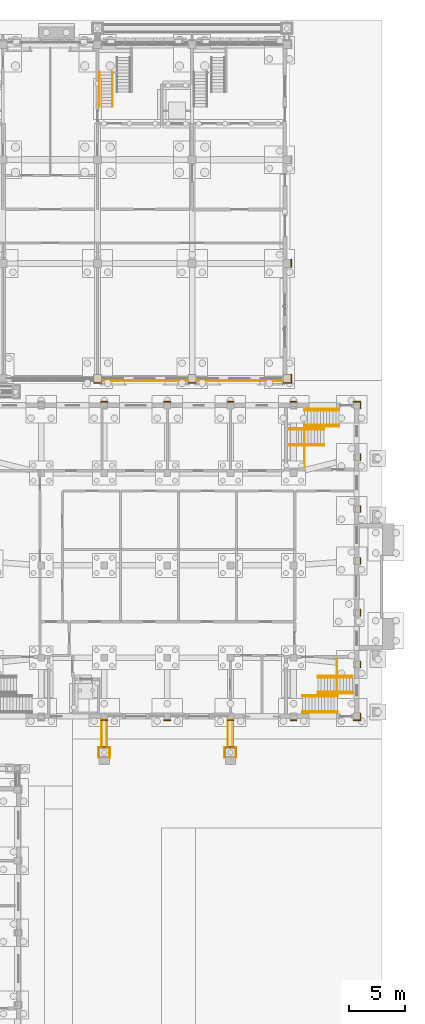
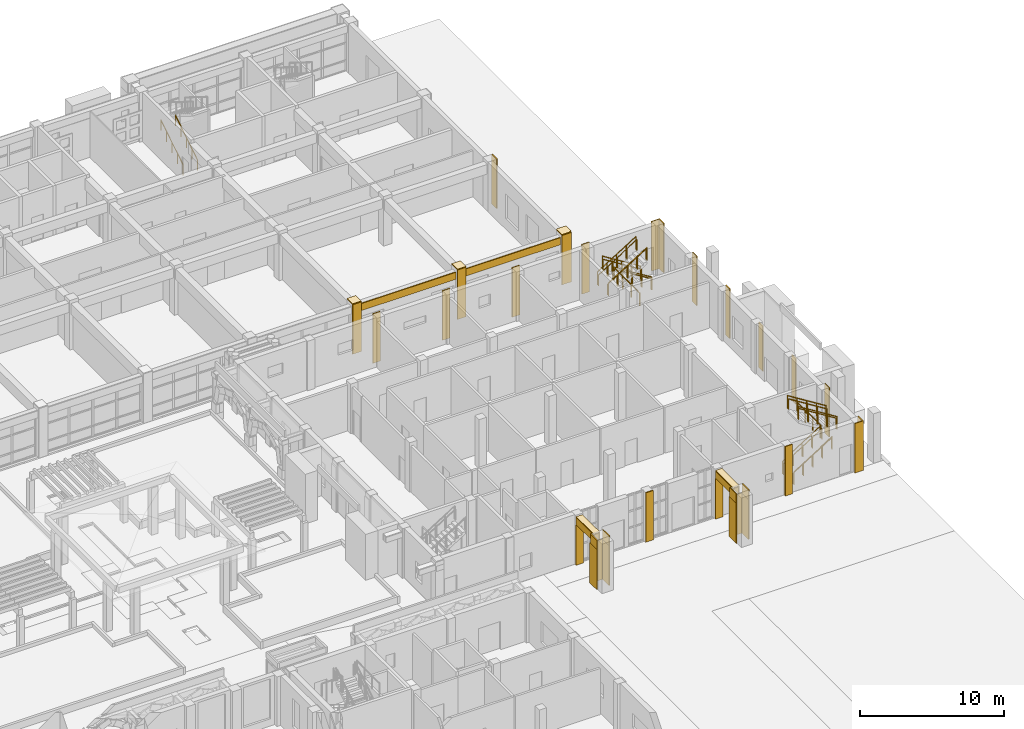
# One storey, part 105 of 112: 36 coverings, 20 railings.
"""IFC4 building model written with IfcOpenShell, lengths in metres."""

from ifc_helpers import new_model, si_unit, direction, frame, origin, origin_2d, place, context, subcontext, project, spatial, polyline, circle, outline, extrude, material, layer, layer_set, type_object, element, save


model = new_model("IFC4")

# Units and contexts
model_context = context("Model", 3, precision=1e-05, world=origin(), true_north=direction((0.0, 1.0)))
body_context = subcontext(model_context, "Body", "Model", "MODEL_VIEW")
ifc_project = project(units=[si_unit("LENGTHUNIT", "METRE"), si_unit("AREAUNIT", "SQUARE_METRE"), si_unit("VOLUMEUNIT", "CUBIC_METRE"), si_unit("PLANEANGLEUNIT", "RADIAN"), si_unit("MASSUNIT", "GRAM", prefix="KILO")], contexts=[model_context])

# Site, building, storey
site_placement = place(None, origin())
site = spatial("IfcSite", under=ifc_project, at=site_placement, CompositionType="ELEMENT")
building_placement = place(site_placement, origin())
building = spatial("IfcBuilding", under=site, at=building_placement, Name="Wasatch Bagh Community Centre", CompositionType="ELEMENT")
storey_placement = place(building_placement, origin())
storey = spatial("IfcBuildingStorey", under=building, at=storey_placement, Name="L00", CompositionType="ELEMENT", Elevation=0.0)

# Coverings
ifc_material_1 = material(Name="Cast stone cladding", Category="masonry")
ifc_layer_1 = layer(ifc_material_1, 0.080078125)
ifc_layer_set_1 = layer_set([ifc_layer_1], Name="Cast stone cladding")
covering_type_1 = type_object("IfcCoveringType", Name="CL-B7 beam facing", PredefinedType="CLADDING", material=ifc_layer_set_1)
covering_1_placement = place(storey_placement, frame((0.0, 0.0, 3.320068359375)))
element("IfcCovering", 1, at=covering_1_placement, inside=storey, type_object=covering_type_1, Name="Beam facing", PredefinedType="CLADDING", context=body_context, shape_type="SweptSolid", body=[
    extrude(outline(polyline([(123.14990234375, 68.02490234375), (130.85009765625, 68.02490234375), (130.85009765625, 67.945068359375), (123.14990234375, 67.945068359375), (123.14990234375, 68.02490234375)])), origin(), (0.0, 0.0, 1.0), 0.599853515625),
])
covering_2_placement = place(storey_placement, frame((0.0, 0.0, 3.320068359375)))
element("IfcCovering", 2, at=covering_2_placement, inside=storey, type_object=covering_type_1, Name="Beam facing", PredefinedType="CLADDING", context=body_context, shape_type="SweptSolid", body=[
    extrude(outline(polyline([(131.550048828125, 68.02490234375), (139.25, 68.02490234375), (139.25, 67.945068359375), (131.550048828125, 67.945068359375), (131.550048828125, 68.02490234375)])), origin(), (0.0, 0.0, 1.0), 0.599853515625),
])
covering_3_placement = place(storey_placement, frame((0.0, 0.0, 3.39990234375)))
element("IfcCovering", 3, at=covering_3_placement, inside=storey, type_object=covering_type_1, Name="Beam facing", PredefinedType="CLADDING", context=body_context, shape_type="SweptSolid", body=[
    extrude(outline(polyline([(123.574951171875, 37.89990234375), (123.574951171875, 35.449951171875), (123.655029296875, 35.449951171875), (123.655029296875, 37.89990234375), (123.574951171875, 37.89990234375)])), origin(), (0.0, 0.0, 1.0), 0.60009765625),
])
covering_4_placement = place(storey_placement, frame((0.0, 0.0, 3.39990234375)))
element("IfcCovering", 4, at=covering_4_placement, inside=storey, type_object=covering_type_1, Name="Beam facing", PredefinedType="CLADDING", context=body_context, shape_type="SweptSolid", body=[
    extrude(outline(polyline([(123.22509765625, 37.89990234375), (123.22509765625, 35.449951171875), (123.14501953125, 35.449951171875), (123.14501953125, 37.89990234375), (123.22509765625, 37.89990234375)])), origin(), (0.0, 0.0, 1.0), 0.60009765625),
])
covering_5_placement = place(storey_placement, frame((0.0, 0.0, 4.0)))
element("IfcCovering", 5, at=covering_5_placement, inside=storey, type_object=covering_type_1, Name="Beam facing", PredefinedType="CLADDING", context=body_context, shape_type="SweptSolid", body=[
    extrude(outline(polyline([(123.14501953125, 37.89990234375), (123.14501953125, 35.449951171875), (123.655029296875, 35.449951171875), (123.655029296875, 37.89990234375), (123.14501953125, 37.89990234375)])), origin(), (0.0, 0.0, 1.0), 0.080078125),
])
covering_6_placement = place(storey_placement, frame((0.0, 0.0, 3.39990234375)))
element("IfcCovering", 6, at=covering_6_placement, inside=storey, type_object=covering_type_1, Name="Beam facing", PredefinedType="CLADDING", context=body_context, shape_type="SweptSolid", body=[
    extrude(outline(polyline([(134.77490234375, 37.89990234375), (134.77490234375, 35.449951171875), (134.85498046875, 35.449951171875), (134.85498046875, 37.89990234375), (134.77490234375, 37.89990234375)])), origin(), (0.0, 0.0, 1.0), 0.60009765625),
])
covering_7_placement = place(storey_placement, frame((0.0, 0.0, 3.39990234375)))
element("IfcCovering", 7, at=covering_7_placement, inside=storey, type_object=covering_type_1, Name="Beam facing", PredefinedType="CLADDING", context=body_context, shape_type="SweptSolid", body=[
    extrude(outline(polyline([(134.425048828125, 37.89990234375), (134.425048828125, 35.449951171875), (134.344970703125, 35.449951171875), (134.344970703125, 37.89990234375), (134.425048828125, 37.89990234375)])), origin(), (0.0, 0.0, 1.0), 0.60009765625),
])
covering_8_placement = place(storey_placement, frame((0.0, 0.0, 4.0)))
element("IfcCovering", 8, at=covering_8_placement, inside=storey, type_object=covering_type_1, Name="Beam facing", PredefinedType="CLADDING", context=body_context, shape_type="SweptSolid", body=[
    extrude(outline(polyline([(134.344970703125, 37.89990234375), (134.344970703125, 35.449951171875), (134.85498046875, 35.449951171875), (134.85498046875, 37.89990234375), (134.344970703125, 37.89990234375)])), origin(), (0.0, 0.0, 1.0), 0.080078125),
])
ifc_layer_2 = layer(ifc_material_1, 0.080078125)
ifc_layer_set_2 = layer_set([ifc_layer_2], Name="Cast stone cladding")
covering_type_2 = type_object("IfcCoveringType", Name="CL-C1 column facing", PredefinedType="CLADDING", material=ifc_layer_set_2)
covering_9_placement = place(storey_placement, origin())
element("IfcCovering", 9, at=covering_9_placement, inside=storey, type_object=covering_type_2, Name="Column facing", PredefinedType="CLADDING", context=body_context, shape_type="SweptSolid", body=[
    extrude(outline(polyline([(122.8701171875, 34.550048828125), (122.8701171875, 35.530029296875), (123.929931640625, 35.530029296875), (123.929931640625, 34.550048828125), (123.85009765625, 34.550048828125), (123.85009765625, 35.449951171875), (122.949951171875, 35.449951171875), (122.949951171875, 34.550048828125), (122.8701171875, 34.550048828125)])), origin(), (0.0, 0.0, 1.0), 3.39990234375),
])
covering_10_placement = place(storey_placement, frame((0.0, 0.0, 3.39990234375)))
element("IfcCovering", 10, at=covering_10_placement, inside=storey, type_object=covering_type_2, Name="Column facing", PredefinedType="CLADDING", context=body_context, shape_type="SweptSolid", body=[
    extrude(outline(polyline([(123.85009765625, 35.449951171875), (123.929931640625, 35.449951171875), (123.929931640625, 34.550048828125), (123.85009765625, 34.550048828125), (123.85009765625, 35.449951171875)])), origin(), (0.0, 0.0, 1.0), 0.800048828125),
])
covering_11_placement = place(storey_placement, frame((0.0, 0.0, 3.39990234375)))
element("IfcCovering", 11, at=covering_11_placement, inside=storey, type_object=covering_type_2, Name="Column facing", PredefinedType="CLADDING", context=body_context, shape_type="SweptSolid", body=[
    extrude(outline(polyline([(122.949951171875, 34.550048828125), (122.8701171875, 34.550048828125), (122.8701171875, 35.449951171875), (122.949951171875, 35.449951171875), (122.949951171875, 34.550048828125)])), origin(), (0.0, 0.0, 1.0), 0.800048828125),
])
covering_12_placement = place(storey_placement, origin())
element("IfcCovering", 12, at=covering_12_placement, inside=storey, type_object=covering_type_2, Name="Column facing", PredefinedType="CLADDING", context=body_context, shape_type="SweptSolid", body=[
    extrude(outline(polyline([(134.070068359375, 34.550048828125), (134.070068359375, 35.530029296875), (135.1298828125, 35.530029296875), (135.1298828125, 35.449951171875), (135.1298828125, 34.550048828125), (135.050048828125, 34.550048828125), (135.050048828125, 35.449951171875), (134.14990234375, 35.449951171875), (134.14990234375, 34.550048828125), (134.070068359375, 34.550048828125)])), origin(), (0.0, 0.0, 1.0), 3.39990234375),
])
covering_13_placement = place(storey_placement, frame((0.0, 0.0, 3.39990234375)))
element("IfcCovering", 13, at=covering_13_placement, inside=storey, type_object=covering_type_2, Name="Column facing", PredefinedType="CLADDING", context=body_context, shape_type="SweptSolid", body=[
    extrude(outline(polyline([(135.050048828125, 35.449951171875), (135.1298828125, 35.449951171875), (135.1298828125, 34.550048828125), (135.050048828125, 34.550048828125), (135.050048828125, 35.449951171875)])), origin(), (0.0, 0.0, 1.0), 0.800048828125),
])
covering_14_placement = place(storey_placement, frame((0.0, 0.0, 3.39990234375)))
element("IfcCovering", 14, at=covering_14_placement, inside=storey, type_object=covering_type_2, Name="Column facing", PredefinedType="CLADDING", context=body_context, shape_type="SweptSolid", body=[
    extrude(outline(polyline([(134.14990234375, 34.550048828125), (134.070068359375, 34.550048828125), (134.070068359375, 35.449951171875), (134.14990234375, 35.449951171875), (134.14990234375, 34.550048828125)])), origin(), (0.0, 0.0, 1.0), 0.800048828125),
])
covering_15_placement = place(storey_placement, origin())
element("IfcCovering", 15, at=covering_15_placement, inside=storey, type_object=covering_type_2, Name="Column facing", PredefinedType="CLADDING", context=body_context, shape_type="SweptSolid", body=[
    extrude(outline(polyline([(139.949951171875, 78.050048828125), (139.949951171875, 78.75), (140.030029296875, 78.75), (140.030029296875, 78.050048828125), (139.949951171875, 78.050048828125)])), origin(), (0.0, 0.0, 1.0), 4.199951171875),
])
covering_16_placement = place(storey_placement, origin())
element("IfcCovering", 16, at=covering_16_placement, inside=storey, type_object=covering_type_2, Name="Column facing", PredefinedType="CLADDING", context=body_context, shape_type="SweptSolid", body=[
    extrude(outline(polyline([(122.449951171875, 67.85009765625), (123.14990234375, 67.85009765625), (123.14990234375, 67.77001953125), (122.449951171875, 67.77001953125), (122.449951171875, 67.85009765625)])), origin(), (0.0, 0.0, 1.0), 4.199951171875),
])
covering_17_placement = place(storey_placement, frame((0.0, 0.0, 4.199951171875)))
element("IfcCovering", 17, at=covering_17_placement, inside=storey, type_object=covering_type_2, Name="Column facing", PredefinedType="CLADDING", context=body_context, shape_type="SweptSolid", body=[
    extrude(outline(polyline([(123.14990234375, 67.77001953125), (122.449951171875, 67.77001953125), (122.449951171875, 68.550048828125), (123.14990234375, 68.550048828125), (123.14990234375, 67.77001953125)])), origin(), (0.0, 0.0, 1.0), 0.080078125),
])
covering_18_placement = place(storey_placement, origin())
element("IfcCovering", 18, at=covering_18_placement, inside=storey, type_object=covering_type_2, Name="Column facing", PredefinedType="CLADDING", context=body_context, shape_type="SweptSolid", body=[
    extrude(outline(polyline([(130.85009765625, 67.85009765625), (131.550048828125, 67.85009765625), (131.550048828125, 67.77001953125), (130.85009765625, 67.77001953125), (130.85009765625, 67.85009765625)])), origin(), (0.0, 0.0, 1.0), 4.199951171875),
])
covering_19_placement = place(storey_placement, frame((0.0, 0.0, 4.199951171875)))
element("IfcCovering", 19, at=covering_19_placement, inside=storey, type_object=covering_type_2, Name="Column facing", PredefinedType="CLADDING", context=body_context, shape_type="SweptSolid", body=[
    extrude(outline(polyline([(131.550048828125, 67.77001953125), (130.85009765625, 67.77001953125), (130.85009765625, 68.550048828125), (131.550048828125, 68.550048828125), (131.550048828125, 67.77001953125)])), origin(), (0.0, 0.0, 1.0), 0.080078125),
])
covering_20_placement = place(storey_placement, origin())
element("IfcCovering", 20, at=covering_20_placement, inside=storey, type_object=covering_type_2, Name="Column facing", PredefinedType="CLADDING", context=body_context, shape_type="SweptSolid", body=[
    extrude(outline(polyline([(139.949951171875, 67.85009765625), (139.949951171875, 68.550048828125), (140.030029296875, 68.550048828125), (140.030029296875, 67.85009765625), (140.030029296875, 67.77001953125), (139.25, 67.77001953125), (139.25, 67.85009765625), (139.949951171875, 67.85009765625)])), origin(), (0.0, 0.0, 1.0), 4.199951171875),
])
covering_21_placement = place(storey_placement, frame((0.0, 0.0, 4.199951171875)))
element("IfcCovering", 21, at=covering_21_placement, inside=storey, type_object=covering_type_2, Name="Column facing", PredefinedType="CLADDING", context=body_context, shape_type="SweptSolid", body=[
    extrude(outline(polyline([(139.949951171875, 67.77001953125), (139.25, 67.77001953125), (139.25, 68.550048828125), (140.030029296875, 68.550048828125), (140.030029296875, 67.85009765625), (139.949951171875, 67.85009765625), (139.949951171875, 67.77001953125)])), origin(), (0.0, 0.0, 1.0), 0.080078125),
])
covering_22_placement = place(storey_placement, origin())
element("IfcCovering", 22, at=covering_22_placement, inside=storey, type_object=covering_type_2, Name="Column facing", PredefinedType="CLADDING", context=body_context, shape_type="SweptSolid", body=[
    extrude(outline(polyline([(123.10009765625, 37.89990234375), (123.699951171875, 37.89990234375), (123.699951171875, 37.820068359375), (123.10009765625, 37.820068359375), (123.10009765625, 37.89990234375)])), origin(), (0.0, 0.0, 1.0), 3.39990234375),
])
covering_23_placement = place(storey_placement, origin())
element("IfcCovering", 23, at=covering_23_placement, inside=storey, type_object=covering_type_2, Name="Column facing", PredefinedType="CLADDING", context=body_context, shape_type="SweptSolid", body=[
    extrude(outline(polyline([(128.699951171875, 37.89990234375), (129.300048828125, 37.89990234375), (129.300048828125, 37.820068359375), (128.699951171875, 37.820068359375), (128.699951171875, 37.89990234375)])), origin(), (0.0, 0.0, 1.0), 4.199951171875),
])
covering_24_placement = place(storey_placement, origin())
element("IfcCovering", 24, at=covering_24_placement, inside=storey, type_object=covering_type_2, Name="Column facing", PredefinedType="CLADDING", context=body_context, shape_type="SweptSolid", body=[
    extrude(outline(polyline([(134.300048828125, 37.89990234375), (134.89990234375, 37.89990234375), (134.89990234375, 37.820068359375), (134.300048828125, 37.820068359375), (134.300048828125, 37.89990234375)])), origin(), (0.0, 0.0, 1.0), 3.39990234375),
])
covering_25_placement = place(storey_placement, origin())
element("IfcCovering", 25, at=covering_25_placement, inside=storey, type_object=covering_type_2, Name="Column facing", PredefinedType="CLADDING", context=body_context, shape_type="SweptSolid", body=[
    extrude(outline(polyline([(139.89990234375, 37.89990234375), (140.5, 37.89990234375), (140.5, 37.820068359375), (139.89990234375, 37.820068359375), (139.89990234375, 37.89990234375)])), origin(), (0.0, 0.0, 1.0), 4.199951171875),
])
covering_26_placement = place(storey_placement, origin())
element("IfcCovering", 26, at=covering_26_placement, inside=storey, type_object=covering_type_2, Name="Column facing", PredefinedType="CLADDING", context=body_context, shape_type="SweptSolid", body=[
    extrude(outline(polyline([(146.10009765625, 37.89990234375), (146.10009765625, 38.5), (146.179931640625, 38.5), (146.179931640625, 37.820068359375), (145.5, 37.820068359375), (145.5, 37.89990234375), (146.10009765625, 37.89990234375)])), origin(), (0.0, 0.0, 1.0), 4.199951171875),
])
covering_27_placement = place(storey_placement, origin())
element("IfcCovering", 27, at=covering_27_placement, inside=storey, type_object=covering_type_2, Name="Column facing", PredefinedType="CLADDING", context=body_context, shape_type="SweptSolid", body=[
    extrude(outline(polyline([(123.699951171875, 66.10009765625), (123.10009765625, 66.10009765625), (123.10009765625, 66.179931640625), (123.699951171875, 66.179931640625), (123.699951171875, 66.10009765625)])), origin(), (0.0, 0.0, 1.0), 4.199951171875),
])
covering_28_placement = place(storey_placement, origin())
element("IfcCovering", 28, at=covering_28_placement, inside=storey, type_object=covering_type_2, Name="Column facing", PredefinedType="CLADDING", context=body_context, shape_type="SweptSolid", body=[
    extrude(outline(polyline([(129.300048828125, 66.10009765625), (128.699951171875, 66.10009765625), (128.699951171875, 66.179931640625), (129.300048828125, 66.179931640625), (129.300048828125, 66.10009765625)])), origin(), (0.0, 0.0, 1.0), 4.199951171875),
])
covering_29_placement = place(storey_placement, origin())
element("IfcCovering", 29, at=covering_29_placement, inside=storey, type_object=covering_type_2, Name="Column facing", PredefinedType="CLADDING", context=body_context, shape_type="SweptSolid", body=[
    extrude(outline(polyline([(134.89990234375, 66.10009765625), (134.300048828125, 66.10009765625), (134.300048828125, 66.179931640625), (134.89990234375, 66.179931640625), (134.89990234375, 66.10009765625)])), origin(), (0.0, 0.0, 1.0), 4.199951171875),
])
covering_30_placement = place(storey_placement, origin())
element("IfcCovering", 30, at=covering_30_placement, inside=storey, type_object=covering_type_2, Name="Column facing", PredefinedType="CLADDING", context=body_context, shape_type="SweptSolid", body=[
    extrude(outline(polyline([(140.5, 66.10009765625), (139.89990234375, 66.10009765625), (139.89990234375, 66.179931640625), (140.5, 66.179931640625), (140.5, 66.10009765625)])), origin(), (0.0, 0.0, 1.0), 4.199951171875),
])
covering_31_placement = place(storey_placement, origin())
element("IfcCovering", 31, at=covering_31_placement, inside=storey, type_object=covering_type_2, Name="Column facing", PredefinedType="CLADDING", context=body_context, shape_type="SweptSolid", body=[
    extrude(outline(polyline([(146.10009765625, 66.10009765625), (145.5, 66.10009765625), (145.5, 66.179931640625), (146.179931640625, 66.179931640625), (146.179931640625, 65.5), (146.10009765625, 65.5), (146.10009765625, 66.10009765625)])), origin(), (0.0, 0.0, 1.0), 4.199951171875),
])
covering_32_placement = place(storey_placement, origin())
element("IfcCovering", 32, at=covering_32_placement, inside=storey, type_object=covering_type_2, Name="Column facing", PredefinedType="CLADDING", context=body_context, shape_type="SweptSolid", body=[
    extrude(outline(polyline([(146.10009765625, 42.5), (146.10009765625, 43.10009765625), (146.179931640625, 43.10009765625), (146.179931640625, 42.5), (146.10009765625, 42.5)])), origin(), (0.0, 0.0, 1.0), 4.199951171875),
])
covering_33_placement = place(storey_placement, origin())
element("IfcCovering", 33, at=covering_33_placement, inside=storey, type_object=covering_type_2, Name="Column facing", PredefinedType="CLADDING", context=body_context, shape_type="SweptSolid", body=[
    extrude(outline(polyline([(146.10009765625, 47.10009765625), (146.10009765625, 47.699951171875), (146.179931640625, 47.699951171875), (146.179931640625, 47.10009765625), (146.10009765625, 47.10009765625)])), origin(), (0.0, 0.0, 1.0), 3.85009765625),
])
covering_34_placement = place(storey_placement, origin())
element("IfcCovering", 34, at=covering_34_placement, inside=storey, type_object=covering_type_2, Name="Column facing", PredefinedType="CLADDING", context=body_context, shape_type="SweptSolid", body=[
    extrude(outline(polyline([(146.10009765625, 51.699951171875), (146.10009765625, 52.300048828125), (146.179931640625, 52.300048828125), (146.179931640625, 51.699951171875), (146.10009765625, 51.699951171875)])), origin(), (0.0, 0.0, 1.0), 3.85009765625),
])
covering_35_placement = place(storey_placement, origin())
element("IfcCovering", 35, at=covering_35_placement, inside=storey, type_object=covering_type_2, Name="Column facing", PredefinedType="CLADDING", context=body_context, shape_type="SweptSolid", body=[
    extrude(outline(polyline([(146.10009765625, 56.300048828125), (146.10009765625, 56.89990234375), (146.179931640625, 56.89990234375), (146.179931640625, 56.300048828125), (146.10009765625, 56.300048828125)])), origin(), (0.0, 0.0, 1.0), 4.199951171875),
])
covering_36_placement = place(storey_placement, origin())
element("IfcCovering", 36, at=covering_36_placement, inside=storey, type_object=covering_type_2, Name="Column facing", PredefinedType="CLADDING", context=body_context, shape_type="SweptSolid", body=[
    extrude(outline(polyline([(146.10009765625, 60.89990234375), (146.10009765625, 61.5), (146.179931640625, 61.5), (146.179931640625, 60.89990234375), (146.10009765625, 60.89990234375)])), origin(), (0.0, 0.0, 1.0), 4.199951171875),
])

# Railings
ifc_material_2 = material(Name="Painted steel tube", Category="steel")
railing_type_1 = type_object("IfcRailingType", Name="LW stair handrail 900", PredefinedType="HANDRAIL", material=ifc_material_2)
for number, where, name in (
    (37, (122.97509765625, 92.300048828125, 0.175048828125), "Handrail C3"),
    (38, (124.135009765625, 92.300048828125, 0.175048828125), "Handrail C3"),
):
    element("IfcRailing", number, at=place(storey_placement, frame(where)), inside=storey, type_object=railing_type_1, Name=name, PredefinedType="HANDRAIL", context=body_context, shape_type="SweptSolid", body=[
        extrude(circle(Radius=0.0224609375, at=origin_2d()), frame((0.0, 0.0, 0.87744140625), z_axis=(0.0, 0.847979421464, 0.530029150871), x_axis=(-1.0, 0.0, 0.0)), (0.0, 0.0, 1.0), 3.632080078125),
        extrude(circle(Radius=0.02001953125, at=origin_2d()), origin(), (0.0, 0.0, 1.0), 0.85498046875),
        extrude(circle(Radius=0.02001953125, at=origin_2d()), frame((0.0, 0.77001953125, 0.481201171875)), (0.0, 0.0, 1.0), 0.85498046875),
        extrude(circle(Radius=0.02001953125, at=origin_2d()), frame((0.0, 1.5400390625, 0.96240234375)), (0.0, 0.0, 1.0), 0.85498046875),
        extrude(circle(Radius=0.02001953125, at=origin_2d()), frame((0.0, 2.309814453125, 1.44384765625)), (0.0, 0.0, 1.0), 0.85498046875),
        extrude(circle(Radius=0.02001953125, at=origin_2d()), frame((0.0, 3.079833984375, 1.925048828125)), (0.0, 0.0, 1.0), 0.85498046875),
    ])
ifc_material_3 = material(Name="ASTM A36 steel", Category="steel")
railing_type_2 = type_object("IfcRailingType", Name="SH guard", PredefinedType="GUARDRAIL", material=ifc_material_3)
for number, where, name in (
    (39, (141.0, 40.070068359375, 0.175048828125), "GUARD ST2"),
    (40, (141.0, 38.530029296875, 0.175048828125), "GUARD ST2"),
):
    element("IfcRailing", number, at=place(storey_placement, frame(where)), inside=storey, type_object=railing_type_2, Name=name, PredefinedType="GUARDRAIL", context=body_context, shape_type="SweptSolid", body=[
        extrude(circle(Radius=0.02392578125, at=origin_2d()), frame((0.0, 0.0, 1.076171875), z_axis=(0.847998304005, 0.0, 0.529998940003), x_axis=(0.0, 1.0, 0.0)), (0.0, 0.0, 1.0), 3.632080078125),
        extrude(circle(Radius=0.02099609375, at=origin_2d()), origin(), (0.0, 0.0, 1.0), 1.052001953125),
        extrude(circle(Radius=0.02099609375, at=origin_2d()), frame((0.77001953125, 0.0, 0.481201171875)), (0.0, 0.0, 1.0), 1.052001953125),
        extrude(circle(Radius=0.02099609375, at=origin_2d()), frame((1.5400390625, 0.0, 0.96240234375)), (0.0, 0.0, 1.0), 1.052001953125),
        extrude(circle(Radius=0.02099609375, at=origin_2d()), frame((2.31005859375, 0.0, 1.44384765625)), (0.0, 0.0, 1.0), 1.052001953125),
        extrude(circle(Radius=0.02099609375, at=origin_2d()), frame((3.080078125, 0.0, 1.925048828125)), (0.0, 0.0, 1.0), 1.052001953125),
    ])
for number, where, name in (
    (41, (145.449951171875, 40.22998046875, 2.27490234375), "GUARD ST2"),
    (42, (145.449951171875, 41.77001953125, 2.27490234375), "GUARD ST2"),
):
    element("IfcRailing", number, at=place(storey_placement, frame(where)), inside=storey, type_object=railing_type_2, Name=name, PredefinedType="GUARDRAIL", context=body_context, shape_type="SweptSolid", body=[
        extrude(circle(Radius=0.02392578125, at=origin_2d()), frame((0.0, 0.0, 1.076171875), z_axis=(-0.847979421464, 0.0, 0.530029150871), x_axis=(0.0, -1.0, 0.0)), (0.0, 0.0, 1.0), 3.632080078125),
        extrude(circle(Radius=0.02099609375, at=origin_2d()), origin(), (0.0, 0.0, 1.0), 1.052001953125),
        extrude(circle(Radius=0.02099609375, at=origin_2d()), frame((-0.77001953125, 0.0, 0.481201171875)), (0.0, 0.0, 1.0), 1.052001953125),
        extrude(circle(Radius=0.02099609375, at=origin_2d()), frame((-1.5400390625, 0.0, 0.96240234375)), (0.0, 0.0, 1.0), 1.052001953125),
        extrude(circle(Radius=0.02099609375, at=origin_2d()), frame((-2.309814453125, 0.0, 1.44384765625)), (0.0, 0.0, 1.0), 1.052001953125),
        extrude(circle(Radius=0.02099609375, at=origin_2d()), frame((-3.079833984375, 0.0, 1.925048828125)), (0.0, 0.0, 1.0), 1.052001953125),
    ])
railing_1_placement = place(storey_placement, frame((144.06005859375, 40.14990234375, 2.10009765625)))
element("IfcRailing", 43, at=railing_1_placement, inside=storey, type_object=railing_type_2, Name="GUARD ST2", PredefinedType="GUARDRAIL", context=body_context, shape_type="SweptSolid", body=[
    extrude(circle(Radius=0.02392578125, at=origin_2d()), frame((0.0, 0.0, 1.076171875), z_axis=(0.0, 1.0, 0.0), x_axis=(-1.0, 0.0, 0.0)), (0.0, 0.0, 1.0), 3.150146484375),
    extrude(circle(Radius=0.02099609375, at=origin_2d()), origin(), (0.0, 0.0, 1.0), 1.052001953125),
    extrude(circle(Radius=0.02099609375, at=origin_2d()), frame((0.0, 1.050048828125, 0.0)), (0.0, 0.0, 1.0), 1.052001953125),
    extrude(circle(Radius=0.02099609375, at=origin_2d()), frame((0.0, 2.10009765625, 0.0)), (0.0, 0.0, 1.0), 1.052001953125),
    extrude(circle(Radius=0.02099609375, at=origin_2d()), frame((0.0, 3.150146484375, 0.0)), (0.0, 0.0, 1.0), 1.052001953125),
])
for number, where, name in (
    (44, (144.25, 63.929931640625, 0.175048828125), "GUARD ST3"),
    (45, (144.25, 65.469970703125, 0.175048828125), "GUARD ST3"),
):
    element("IfcRailing", number, at=place(storey_placement, frame(where)), inside=storey, type_object=railing_type_2, Name=name, PredefinedType="GUARDRAIL", context=body_context, shape_type="SweptSolid", body=[
        extrude(circle(Radius=0.02392578125, at=origin_2d()), frame((0.0, 0.0, 1.076171875), z_axis=(-0.847998304005, 0.0, 0.529998940003), x_axis=(0.0, -1.0, 0.0)), (0.0, 0.0, 1.0), 3.632080078125),
        extrude(circle(Radius=0.02099609375, at=origin_2d()), origin(), (0.0, 0.0, 1.0), 1.052001953125),
        extrude(circle(Radius=0.02099609375, at=origin_2d()), frame((-0.77001953125, 0.0, 0.481201171875)), (0.0, 0.0, 1.0), 1.052001953125),
        extrude(circle(Radius=0.02099609375, at=origin_2d()), frame((-1.5400390625, 0.0, 0.96240234375)), (0.0, 0.0, 1.0), 1.052001953125),
        extrude(circle(Radius=0.02099609375, at=origin_2d()), frame((-2.31005859375, 0.0, 1.44384765625)), (0.0, 0.0, 1.0), 1.052001953125),
        extrude(circle(Radius=0.02099609375, at=origin_2d()), frame((-3.080078125, 0.0, 1.925048828125)), (0.0, 0.0, 1.0), 1.052001953125),
    ])
for number, where, name in (
    (46, (139.800048828125, 63.77001953125, 2.27490234375), "GUARD ST3"),
    (47, (139.800048828125, 62.22998046875, 2.27490234375), "GUARD ST3"),
):
    element("IfcRailing", number, at=place(storey_placement, frame(where)), inside=storey, type_object=railing_type_2, Name=name, PredefinedType="GUARDRAIL", context=body_context, shape_type="SweptSolid", body=[
        extrude(circle(Radius=0.02392578125, at=origin_2d()), frame((0.0, 0.0, 1.076171875), z_axis=(0.847979421464, 0.0, 0.530029150871), x_axis=(0.0, 1.0, 0.0)), (0.0, 0.0, 1.0), 3.632080078125),
        extrude(circle(Radius=0.02099609375, at=origin_2d()), origin(), (0.0, 0.0, 1.0), 1.052001953125),
        extrude(circle(Radius=0.02099609375, at=origin_2d()), frame((0.77001953125, 0.0, 0.481201171875)), (0.0, 0.0, 1.0), 1.052001953125),
        extrude(circle(Radius=0.02099609375, at=origin_2d()), frame((1.5400390625, 0.0, 0.96240234375)), (0.0, 0.0, 1.0), 1.052001953125),
        extrude(circle(Radius=0.02099609375, at=origin_2d()), frame((2.309814453125, 0.0, 1.44384765625)), (0.0, 0.0, 1.0), 1.052001953125),
        extrude(circle(Radius=0.02099609375, at=origin_2d()), frame((3.079833984375, 0.0, 1.925048828125)), (0.0, 0.0, 1.0), 1.052001953125),
    ])
railing_2_placement = place(storey_placement, frame((141.18994140625, 63.85009765625, 2.10009765625)))
element("IfcRailing", 48, at=railing_2_placement, inside=storey, type_object=railing_type_2, Name="GUARD ST3", PredefinedType="GUARDRAIL", context=body_context, shape_type="SweptSolid", body=[
    extrude(circle(Radius=0.02392578125, at=origin_2d()), frame((0.0, 0.0, 1.076171875), z_axis=(0.0, -1.0, 0.0), x_axis=(1.0, 0.0, 0.0)), (0.0, 0.0, 1.0), 3.550048828125),
    extrude(circle(Radius=0.02099609375, at=origin_2d()), origin(), (0.0, 0.0, 1.0), 1.052001953125),
    extrude(circle(Radius=0.02099609375, at=origin_2d()), frame((0.0, -1.183349609375, 0.0)), (0.0, 0.0, 1.0), 1.052001953125),
    extrude(circle(Radius=0.02099609375, at=origin_2d()), frame((0.0, -2.36669921875, 0.0)), (0.0, 0.0, 1.0), 1.052001953125),
    extrude(circle(Radius=0.02099609375, at=origin_2d()), frame((0.0, -3.550048828125, 0.0)), (0.0, 0.0, 1.0), 1.052001953125),
])
railing_type_3 = type_object("IfcRailingType", Name="SH handrail", PredefinedType="HANDRAIL", material=ifc_material_3)
for number, where, name in (
    (49, (141.0, 39.949951171875, 0.175048828125), "HANDRAIL ST2"),
    (50, (141.0, 38.64990234375, 0.175048828125), "HANDRAIL ST2"),
):
    element("IfcRailing", number, at=place(storey_placement, frame(where)), inside=storey, type_object=railing_type_3, Name=name, PredefinedType="HANDRAIL", context=body_context, shape_type="SweptSolid", body=[
        extrude(circle(Radius=0.02392578125, at=origin_2d()), frame((0.0, 0.0, 0.8759765625), z_axis=(0.847998304005, 0.0, 0.529998940003), x_axis=(0.0, 1.0, 0.0)), (0.0, 0.0, 1.0), 3.632080078125),
        extrude(circle(Radius=0.02099609375, at=origin_2d()), origin(), (0.0, 0.0, 1.0), 0.851806640625),
        extrude(circle(Radius=0.02099609375, at=origin_2d()), frame((0.77001953125, 0.0, 0.481201171875)), (0.0, 0.0, 1.0), 0.851806640625),
        extrude(circle(Radius=0.02099609375, at=origin_2d()), frame((1.5400390625, 0.0, 0.96240234375)), (0.0, 0.0, 1.0), 0.851806640625),
        extrude(circle(Radius=0.02099609375, at=origin_2d()), frame((2.31005859375, 0.0, 1.44384765625)), (0.0, 0.0, 1.0), 0.851806640625),
        extrude(circle(Radius=0.02099609375, at=origin_2d()), frame((3.080078125, 0.0, 1.925048828125)), (0.0, 0.0, 1.0), 0.851806640625),
    ])
for number, where, name in (
    (51, (145.449951171875, 40.35009765625, 2.27490234375), "HANDRAIL ST2"),
    (52, (145.449951171875, 41.64990234375, 2.27490234375), "HANDRAIL ST2"),
):
    element("IfcRailing", number, at=place(storey_placement, frame(where)), inside=storey, type_object=railing_type_3, Name=name, PredefinedType="HANDRAIL", context=body_context, shape_type="SweptSolid", body=[
        extrude(circle(Radius=0.02392578125, at=origin_2d()), frame((0.0, 0.0, 0.8759765625), z_axis=(-0.847979421464, 0.0, 0.530029150871), x_axis=(0.0, -1.0, 0.0)), (0.0, 0.0, 1.0), 3.632080078125),
        extrude(circle(Radius=0.02099609375, at=origin_2d()), origin(), (0.0, 0.0, 1.0), 0.851806640625),
        extrude(circle(Radius=0.02099609375, at=origin_2d()), frame((-0.77001953125, 0.0, 0.481201171875)), (0.0, 0.0, 1.0), 0.851806640625),
        extrude(circle(Radius=0.02099609375, at=origin_2d()), frame((-1.5400390625, 0.0, 0.96240234375)), (0.0, 0.0, 1.0), 0.851806640625),
        extrude(circle(Radius=0.02099609375, at=origin_2d()), frame((-2.309814453125, 0.0, 1.44384765625)), (0.0, 0.0, 1.0), 0.851806640625),
        extrude(circle(Radius=0.02099609375, at=origin_2d()), frame((-3.079833984375, 0.0, 1.925048828125)), (0.0, 0.0, 1.0), 0.851806640625),
    ])
for number, where, name in (
    (53, (144.25, 64.050048828125, 0.175048828125), "HANDRAIL ST3"),
    (54, (144.25, 65.35009765625, 0.175048828125), "HANDRAIL ST3"),
):
    element("IfcRailing", number, at=place(storey_placement, frame(where)), inside=storey, type_object=railing_type_3, Name=name, PredefinedType="HANDRAIL", context=body_context, shape_type="SweptSolid", body=[
        extrude(circle(Radius=0.02392578125, at=origin_2d()), frame((0.0, 0.0, 0.8759765625), z_axis=(-0.847998304005, 0.0, 0.529998940003), x_axis=(0.0, -1.0, 0.0)), (0.0, 0.0, 1.0), 3.632080078125),
        extrude(circle(Radius=0.02099609375, at=origin_2d()), origin(), (0.0, 0.0, 1.0), 0.851806640625),
        extrude(circle(Radius=0.02099609375, at=origin_2d()), frame((-0.77001953125, 0.0, 0.481201171875)), (0.0, 0.0, 1.0), 0.851806640625),
        extrude(circle(Radius=0.02099609375, at=origin_2d()), frame((-1.5400390625, 0.0, 0.96240234375)), (0.0, 0.0, 1.0), 0.851806640625),
        extrude(circle(Radius=0.02099609375, at=origin_2d()), frame((-2.31005859375, 0.0, 1.44384765625)), (0.0, 0.0, 1.0), 0.851806640625),
        extrude(circle(Radius=0.02099609375, at=origin_2d()), frame((-3.080078125, 0.0, 1.925048828125)), (0.0, 0.0, 1.0), 0.851806640625),
    ])
for number, where, name in (
    (55, (139.800048828125, 63.64990234375, 2.27490234375), "HANDRAIL ST3"),
    (56, (139.800048828125, 62.35009765625, 2.27490234375), "HANDRAIL ST3"),
):
    element("IfcRailing", number, at=place(storey_placement, frame(where)), inside=storey, type_object=railing_type_3, Name=name, PredefinedType="HANDRAIL", context=body_context, shape_type="SweptSolid", body=[
        extrude(circle(Radius=0.02392578125, at=origin_2d()), frame((0.0, 0.0, 0.8759765625), z_axis=(0.847979421464, 0.0, 0.530029150871), x_axis=(0.0, 1.0, 0.0)), (0.0, 0.0, 1.0), 3.632080078125),
        extrude(circle(Radius=0.02099609375, at=origin_2d()), origin(), (0.0, 0.0, 1.0), 0.851806640625),
        extrude(circle(Radius=0.02099609375, at=origin_2d()), frame((0.77001953125, 0.0, 0.481201171875)), (0.0, 0.0, 1.0), 0.851806640625),
        extrude(circle(Radius=0.02099609375, at=origin_2d()), frame((1.5400390625, 0.0, 0.96240234375)), (0.0, 0.0, 1.0), 0.851806640625),
        extrude(circle(Radius=0.02099609375, at=origin_2d()), frame((2.309814453125, 0.0, 1.44384765625)), (0.0, 0.0, 1.0), 0.851806640625),
        extrude(circle(Radius=0.02099609375, at=origin_2d()), frame((3.079833984375, 0.0, 1.925048828125)), (0.0, 0.0, 1.0), 0.851806640625),
    ])

save(model, "model.ifc")
